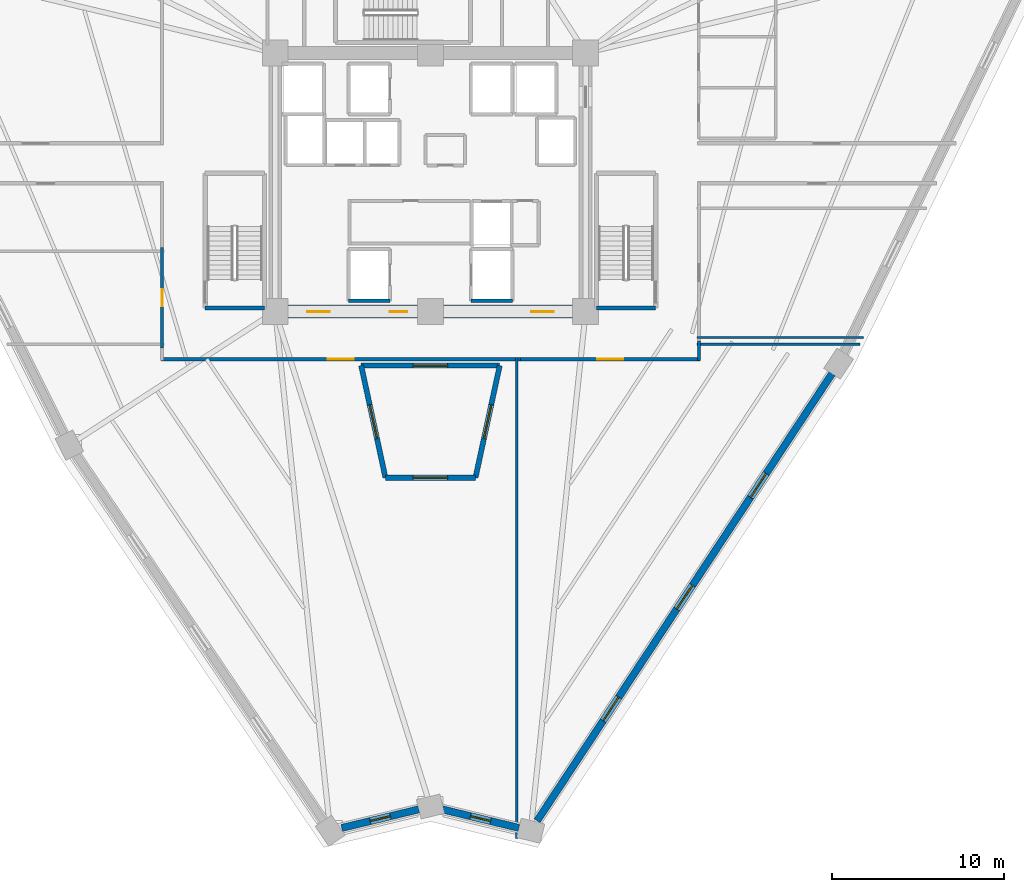
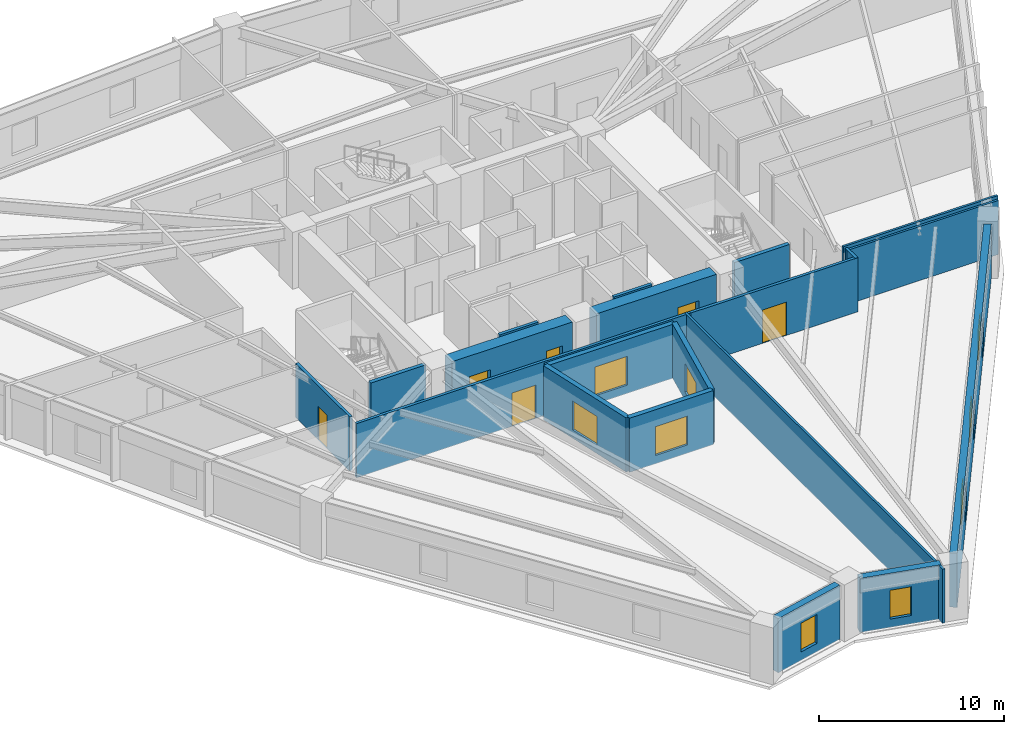
# One storey, part 3 of 9: 20 walls, 9 windows, 6 doors, 15 openings.
"""IFC4 building model written with IfcOpenShell, lengths in metres."""

from ifc_helpers import new_model, si_unit, direction, frame, frame_2d, origin, place, context, subcontext, project, spatial, rectangle, extrude, source, transform, mapped, material, layer, layer_set, type_object, element, fill, save


model = new_model("IFC4")

# Units and contexts
model_context = context("Model", 3, precision=1e-05, world=origin(), true_north=direction((0.0, 1.0)))
body_context = subcontext(model_context, "Body", "Model", "MODEL_VIEW")
ifc_project = project(units=[si_unit("LENGTHUNIT", "METRE"), si_unit("AREAUNIT", "SQUARE_METRE"), si_unit("VOLUMEUNIT", "CUBIC_METRE"), si_unit("PLANEANGLEUNIT", "RADIAN"), si_unit("MASSUNIT", "GRAM", prefix="KILO")], contexts=[model_context])

# Site, building, storey
site_placement = place(None, origin())
site = spatial("IfcSite", under=ifc_project, at=site_placement, CompositionType="ELEMENT")
building_placement = place(site_placement, origin())
building = spatial("IfcBuilding", under=site, at=building_placement, Name="Liaohun Quay Tower", CompositionType="ELEMENT")
storey_placement = place(building_placement, frame((0.0, 0.0, 144.0)))
storey = spatial("IfcBuildingStorey", under=building, at=storey_placement, Name="L37", CompositionType="ELEMENT", Elevation=144.0)

# Wall, opening, window
ifc_material_1 = material(Name="Concrete C50", Category="concrete")
ifc_layer_1 = layer(ifc_material_1, 0.300048828125, Name="Concrete C50", Category="concrete")
ifc_layer_set_1 = layer_set([ifc_layer_1], Name="Concrete C50")
wall_type_1 = type_object("IfcWallType", Name="WAL-ATR-300", PredefinedType="SOLIDWALL", material=ifc_layer_set_1)
wall_1_placement = place(storey_placement, frame((57.389892578125, 36.868896484375, 0.0), z_axis=(0.0, 0.0, 1.0), x_axis=(-0.21138112539, 0.97740371384, 0.0)))
wall_1 = element("IfcWall", 1, at=wall_1_placement, inside=storey, type_object=wall_type_1, Name="L37 Atrium Fire Compartment Wall 1", PredefinedType="SOLIDWALL", context=body_context, shape_type="SweptSolid", body=[
    extrude(rectangle(XDim=6.651611328125, YDim=0.300048828125, at=frame_2d((3.32568359375, 0.0))), origin(), (0.0, 0.0, 1.0), 3.570068359375),
])
shared_shape_1 = source(origin(), body_context, "Body", "SweptSolid", [
    extrude(rectangle(XDim=2.0, YDim=1.89990234375, at=frame_2d((1.0, 0.949951171875))), frame((0.0, 0.159912109375, 0.0), z_axis=(0.0, -1.0, 0.0), x_axis=(1.0, 0.0, 0.0)), (0.0, 0.0, 1.0), 0.320068359375),
])
opening_1_placement = place(wall_1_placement, frame((2.325927734375, 0.0, 0.550048828125)))
opening_1 = element("IfcOpeningElement", 2, at=opening_1_placement, cuts=wall_1, Name="Opening W07", PredefinedType="OPENING", context=body_context, shape_type="MappedRepresentation", body=[
    mapped(shared_shape_1, transform((0.0, 0.0, 0.0), x_axis=(1.0, 0.0, 0.0), y_axis=(0.0, 1.0, 0.0), z_axis=(0.0, 0.0, 1.0), scale=1.0)),
])
ifc_material_2 = material(Name="Class A 180-min fire-resistant insulated glazing", Category="glass")
window_type_1 = type_object("IfcWindowType", Name="WIN-ATR-FIR", PartitioningType="DOUBLE_PANEL_VERTICAL", PredefinedType="WINDOW", material=ifc_material_2)
shared_shape_2 = source(origin(), body_context, "Body", "SweptSolid", [
    extrude(rectangle(XDim=2.0, YDim=1.89990234375, at=frame_2d((1.0, 0.949951171875))), frame((0.0, 0.030029296875, 0.0), z_axis=(0.0, -1.0, 0.0), x_axis=(1.0, 0.0, 0.0)), (0.0, 0.0, 1.0), 0.06005859375),
])
window_1_placement = place(opening_1_placement, origin())
window_1 = element("IfcWindow", 3, at=window_1_placement, inside=storey, type_object=window_type_1, Name="L37 Atrium Fire-Resistant Glazing W07-1", OverallHeight=1.89990234375, OverallWidth=2.0, PartitioningType="DOUBLE_PANEL_VERTICAL", PredefinedType="WINDOW", context=body_context, shape_type="MappedRepresentation", body=[
    mapped(shared_shape_2, transform((0.0, 0.0, 0.0), x_axis=(1.0, 0.0, 0.0), y_axis=(0.0, 1.0, 0.0), z_axis=(0.0, 0.0, 1.0), scale=1.0)),
])
fill(opening_1, window_1)

wall_2_placement = place(storey_placement, frame((55.98388671875, 43.3701171875, 0.0), z_axis=(0.0, 0.0, 1.0), x_axis=(1.0, 0.0, 0.0)))
wall_2 = element("IfcWall", 4, at=wall_2_placement, inside=storey, type_object=wall_type_1, Name="L37 Atrium Fire Compartment Wall 2", PredefinedType="SOLIDWALL", context=body_context, shape_type="SweptSolid", body=[
    extrude(rectangle(XDim=8.0322265625, YDim=0.300048828125, at=frame_2d((4.01611328125, 0.0))), origin(), (0.0, 0.0, 1.0), 3.570068359375),
])
opening_2_placement = place(wall_2_placement, frame((3.01611328125, 0.0, 0.550048828125)))
opening_2 = element("IfcOpeningElement", 5, at=opening_2_placement, cuts=wall_2, Name="Opening W07", PredefinedType="OPENING", context=body_context, shape_type="MappedRepresentation", body=[
    mapped(shared_shape_1, transform((0.0, 0.0, 0.0), x_axis=(1.0, 0.0, 0.0), y_axis=(0.0, 1.0, 0.0), z_axis=(0.0, 0.0, 1.0), scale=1.0)),
])
window_2_placement = place(opening_2_placement, origin())
window_2 = element("IfcWindow", 6, at=window_2_placement, inside=storey, type_object=window_type_1, Name="L37 Atrium Fire-Resistant Glazing W07-2", OverallHeight=1.89990234375, OverallWidth=2.0, PartitioningType="DOUBLE_PANEL_VERTICAL", PredefinedType="WINDOW", context=body_context, shape_type="MappedRepresentation", body=[
    mapped(shared_shape_2, transform((0.0, 0.0, 0.0), x_axis=(1.0, 0.0, 0.0), y_axis=(0.0, 1.0, 0.0), z_axis=(0.0, 0.0, 1.0), scale=1.0)),
])
fill(opening_2, window_2)

wall_3_placement = place(storey_placement, frame((64.01611328125, 43.3701171875, 0.0), z_axis=(0.0, 0.0, 1.0), x_axis=(-0.21138112539, -0.97740371384, 0.0)))
wall_3 = element("IfcWall", 7, at=wall_3_placement, inside=storey, type_object=wall_type_1, Name="L37 Atrium Fire Compartment Wall 3", PredefinedType="SOLIDWALL", context=body_context, shape_type="SweptSolid", body=[
    extrude(rectangle(XDim=6.651611328125, YDim=0.300048828125, at=frame_2d((3.32568359375, 0.0))), origin(), (0.0, 0.0, 1.0), 3.570068359375),
])
opening_3_placement = place(wall_3_placement, frame((2.325927734375, 0.0, 0.550048828125)))
opening_3 = element("IfcOpeningElement", 8, at=opening_3_placement, cuts=wall_3, Name="Opening W07", PredefinedType="OPENING", context=body_context, shape_type="MappedRepresentation", body=[
    mapped(shared_shape_1, transform((0.0, 0.0, 0.0), x_axis=(1.0, 0.0, 0.0), y_axis=(0.0, 1.0, 0.0), z_axis=(0.0, 0.0, 1.0), scale=1.0)),
])
window_3_placement = place(opening_3_placement, origin())
window_3 = element("IfcWindow", 9, at=window_3_placement, inside=storey, type_object=window_type_1, Name="L37 Atrium Fire-Resistant Glazing W07-3", OverallHeight=1.89990234375, OverallWidth=2.0, PartitioningType="DOUBLE_PANEL_VERTICAL", PredefinedType="WINDOW", context=body_context, shape_type="MappedRepresentation", body=[
    mapped(shared_shape_2, transform((0.0, 0.0, 0.0), x_axis=(1.0, 0.0, 0.0), y_axis=(0.0, 1.0, 0.0), z_axis=(0.0, 0.0, 1.0), scale=1.0)),
])
fill(opening_3, window_3)

wall_4_placement = place(storey_placement, frame((62.610107421875, 36.868896484375, 0.0), z_axis=(0.0, 0.0, 1.0), x_axis=(-1.0, 0.0, 0.0)))
wall_4 = element("IfcWall", 10, at=wall_4_placement, inside=storey, type_object=wall_type_1, Name="L37 Atrium Fire Compartment Wall 4", PredefinedType="SOLIDWALL", context=body_context, shape_type="SweptSolid", body=[
    extrude(rectangle(XDim=5.22021484375, YDim=0.300048828125, at=frame_2d((2.610107421875, 0.0))), origin(), (0.0, 0.0, 1.0), 3.570068359375),
])
opening_4_placement = place(wall_4_placement, frame((1.610107421875, 0.0, 0.550048828125)))
opening_4 = element("IfcOpeningElement", 11, at=opening_4_placement, cuts=wall_4, Name="Opening W07", PredefinedType="OPENING", context=body_context, shape_type="MappedRepresentation", body=[
    mapped(shared_shape_1, transform((0.0, 0.0, 0.0), x_axis=(1.0, 0.0, 0.0), y_axis=(0.0, 1.0, 0.0), z_axis=(0.0, 0.0, 1.0), scale=1.0)),
])
window_4_placement = place(opening_4_placement, origin())
window_4 = element("IfcWindow", 12, at=window_4_placement, inside=storey, type_object=window_type_1, Name="L37 Atrium Fire-Resistant Glazing W07-4", OverallHeight=1.89990234375, OverallWidth=2.0, PartitioningType="DOUBLE_PANEL_VERTICAL", PredefinedType="WINDOW", context=body_context, shape_type="MappedRepresentation", body=[
    mapped(shared_shape_2, transform((0.0, 0.0, 0.0), x_axis=(1.0, 0.0, 0.0), y_axis=(0.0, 1.0, 0.0), z_axis=(0.0, 0.0, 1.0), scale=1.0)),
])
fill(opening_4, window_4)

# Wall, opening, door
ifc_material_3 = material(Name="Concrete C60", Category="concrete")
ifc_layer_2 = layer(ifc_material_3, 0.75, Name="Concrete C60", Category="concrete")
ifc_layer_set_2 = layer_set([ifc_layer_2], Name="Concrete C60")
wall_type_2 = type_object("IfcWallType", Name="WAL-COR-Z2", PredefinedType="SHEAR", material=ifc_layer_set_2)
wall_5_placement = place(storey_placement, frame((68.25, 46.5, 0.0), z_axis=(0.0, 0.0, 1.0), x_axis=(-1.0, 0.0, 0.0)))
wall_5 = element("IfcWall", 13, at=wall_5_placement, inside=storey, type_object=wall_type_2, Name="L37 Central Core Shear Wall S-E", PredefinedType="SHEAR", context=body_context, shape_type="SweptSolid", body=[
    extrude(rectangle(XDim=7.5, YDim=0.75, at=frame_2d((3.75, 0.0))), origin(), (0.0, 0.0, 1.0), 3.570068359375),
])
shared_shape_3 = source(origin(), body_context, "Body", "SweptSolid", [
    extrude(rectangle(XDim=1.300048828125, YDim=2.199951171875, at=frame_2d((0.64990234375, 1.10009765625))), frame((0.0, 0.385009765625, 0.0), z_axis=(0.0, -1.0, 0.0), x_axis=(1.0, 0.0, 0.0)), (0.0, 0.0, 1.0), 0.77001953125),
])
opening_5_placement = place(wall_5_placement, frame((1.10009765625, 0.0, 0.0)))
opening_5 = element("IfcOpeningElement", 14, at=opening_5_placement, cuts=wall_5, Name="Opening FD1", PredefinedType="OPENING", context=body_context, shape_type="MappedRepresentation", body=[
    mapped(shared_shape_3, transform((0.0, 0.0, 0.0), x_axis=(1.0, 0.0, 0.0), y_axis=(0.0, 1.0, 0.0), z_axis=(0.0, 0.0, 1.0), scale=1.0)),
])
ifc_material_4 = material(Name="Galvanised steel smokeproof fire door", Category="steel")
door_type_1 = type_object("IfcDoorType", Name="DOR-FFL-1300", OperationType="NOTDEFINED", PredefinedType="DOOR", material=ifc_material_4)
shared_shape_4 = source(origin(), body_context, "Body", "SweptSolid", [
    extrude(rectangle(XDim=1.300048828125, YDim=2.199951171875, at=frame_2d((0.64990234375, 1.10009765625))), frame((0.0, 0.02490234375, 0.0), z_axis=(0.0, -1.0, 0.0), x_axis=(1.0, 0.0, 0.0)), (0.0, 0.0, 1.0), 0.050048828125),
])
door_1_placement = place(opening_5_placement, origin())
door_1 = element("IfcDoor", 15, at=door_1_placement, inside=storey, type_object=door_type_1, Name="L37 East Core Lift Lobby Smokeproof Door", OperationType="SINGLE_SWING_LEFT", OverallHeight=2.199951171875, OverallWidth=1.300048828125, PredefinedType="DOOR", context=body_context, shape_type="MappedRepresentation", body=[
    mapped(shared_shape_4, transform((0.0, 0.0, 0.0), x_axis=(1.0, 0.0, 0.0), y_axis=(0.0, 1.0, 0.0), z_axis=(0.0, 0.0, 1.0), scale=1.0)),
])
fill(opening_5, door_1)

# Wall, openings, doors
wall_6_placement = place(storey_placement, frame((59.25, 46.5, 0.0), z_axis=(0.0, 0.0, 1.0), x_axis=(-1.0, 0.0, 0.0)))
wall_6 = element("IfcWall", 16, at=wall_6_placement, inside=storey, type_object=wall_type_2, Name="L37 Central Core Shear Wall S-W", PredefinedType="SHEAR", context=body_context, shape_type="SweptSolid", body=[
    extrude(rectangle(XDim=7.5, YDim=0.75, at=frame_2d((3.75, 0.0))), origin(), (0.0, 0.0, 1.0), 3.570068359375),
])
opening_6_placement = place(wall_6_placement, frame((5.10009765625, 0.0, 0.0)))
opening_6 = element("IfcOpeningElement", 17, at=opening_6_placement, cuts=wall_6, Name="Opening FD1", PredefinedType="OPENING", context=body_context, shape_type="MappedRepresentation", body=[
    mapped(shared_shape_3, transform((0.0, 0.0, 0.0), x_axis=(1.0, 0.0, 0.0), y_axis=(0.0, 1.0, 0.0), z_axis=(0.0, 0.0, 1.0), scale=1.0)),
])
shared_shape_5 = source(origin(), body_context, "Body", "SweptSolid", [
    extrude(rectangle(XDim=1.0, YDim=2.199951171875, at=frame_2d((0.5, 1.10009765625))), frame((0.0, 0.385009765625, 0.0), z_axis=(0.0, -1.0, 0.0), x_axis=(1.0, 0.0, 0.0)), (0.0, 0.0, 1.0), 0.77001953125),
])
opening_7_placement = place(wall_6_placement, frame((0.60009765625, 0.0, 0.0)))
opening_7 = element("IfcOpeningElement", 18, at=opening_7_placement, cuts=wall_6, Name="Opening FD2", PredefinedType="OPENING", context=body_context, shape_type="MappedRepresentation", body=[
    mapped(shared_shape_5, transform((0.0, 0.0, 0.0), x_axis=(1.0, 0.0, 0.0), y_axis=(0.0, 1.0, 0.0), z_axis=(0.0, 0.0, 1.0), scale=1.0)),
])
door_2_placement = place(opening_6_placement, origin())
door_2 = element("IfcDoor", 19, at=door_2_placement, inside=storey, type_object=door_type_1, Name="L37 West Core Lift Lobby Smokeproof Door", OperationType="SINGLE_SWING_RIGHT", OverallHeight=2.199951171875, OverallWidth=1.300048828125, PredefinedType="DOOR", context=body_context, shape_type="MappedRepresentation", body=[
    mapped(shared_shape_4, transform((0.0, 0.0, 0.0), x_axis=(1.0, 0.0, 0.0), y_axis=(0.0, 1.0, 0.0), z_axis=(0.0, 0.0, 1.0), scale=1.0)),
])
fill(opening_6, door_2)
ifc_material_5 = material(Name="Galvanised steel smokeproof lobby fire door", Category="steel")
door_type_2 = type_object("IfcDoorType", Name="DOR-FFL-1000", OperationType="NOTDEFINED", PredefinedType="DOOR", material=ifc_material_5)
shared_shape_6 = source(origin(), body_context, "Body", "SweptSolid", [
    extrude(rectangle(XDim=1.0, YDim=2.199951171875, at=frame_2d((0.5, 1.10009765625))), frame((0.0, 0.02490234375, 0.0), z_axis=(0.0, -1.0, 0.0), x_axis=(1.0, 0.0, 0.0)), (0.0, 0.0, 1.0), 0.050048828125),
])
door_3_placement = place(opening_7_placement, origin())
door_3 = element("IfcDoor", 20, at=door_3_placement, inside=storey, type_object=door_type_2, Name="L37 South Firefighting Lobby Smokeproof Door", OperationType="SINGLE_SWING_LEFT", OverallHeight=2.199951171875, OverallWidth=1.0, PredefinedType="DOOR", context=body_context, shape_type="MappedRepresentation", body=[
    mapped(shared_shape_6, transform((0.0, 0.0, 0.0), x_axis=(1.0, 0.0, 0.0), y_axis=(0.0, 1.0, 0.0), z_axis=(0.0, 0.0, 1.0), scale=1.0)),
])
fill(opening_7, door_3)

# Wall, opening, window
ifc_material_6 = material(Name="Precast concrete C50 insulated sandwich", Category="concrete")
ifc_layer_3 = layer(ifc_material_6, 0.419921875, Name="Precast concrete C50 insulated sandwich", Category="concrete")
ifc_layer_set_3 = layer_set([ifc_layer_3], Name="Precast concrete C50 insulated sandwich")
wall_type_3 = type_object("IfcWallType", Name="WAL-EXT-Z12", PredefinedType="SOLIDWALL", material=ifc_layer_set_3)
wall_7_placement = place(storey_placement, frame((60.6708984375, 17.639892578125, 0.0), z_axis=(0.0, 0.0, 1.0), x_axis=(0.972040399781, -0.234813673352, 0.0)))
wall_7 = element("IfcWall", 21, at=wall_7_placement, inside=storey, type_object=wall_type_3, Name="L37 Brutalist Precast Pier Wall 01", PredefinedType="SOLIDWALL", context=body_context, shape_type="SweptSolid", body=[
    extrude(rectangle(XDim=4.594482421875, YDim=0.419921875, at=frame_2d((2.29736328125, 0.0))), origin(), (0.0, 0.0, 1.0), 3.570068359375),
])
shared_shape_7 = source(origin(), body_context, "Body", "SweptSolid", [
    extrude(rectangle(XDim=1.199951171875, YDim=1.89990234375, at=frame_2d((0.60009765625, 0.949951171875))), frame((0.0, 0.219970703125, 0.0), z_axis=(0.0, -1.0, 0.0), x_axis=(1.0, 0.0, 0.0)), (0.0, 0.0, 1.0), 0.43994140625),
])
opening_8_placement = place(wall_7_placement, frame((1.697021484375, 0.0, 0.550048828125)))
opening_8 = element("IfcOpeningElement", 22, at=opening_8_placement, cuts=wall_7, Name="Opening W05", PredefinedType="OPENING", context=body_context, shape_type="MappedRepresentation", body=[
    mapped(shared_shape_7, transform((0.0, 0.0, 0.0), x_axis=(1.0, 0.0, 0.0), y_axis=(0.0, 1.0, 0.0), z_axis=(0.0, 0.0, 1.0), scale=1.0)),
])
ifc_material_7 = material(Name="Triple Low-E corner notch glazing", Category="glass")
window_type_2 = type_object("IfcWindowType", Name="WIN-NOTCH", PartitioningType="SINGLE_PANEL", PredefinedType="WINDOW", material=ifc_material_7)
shared_shape_8 = source(origin(), body_context, "Body", "SweptSolid", [
    extrude(rectangle(XDim=1.199951171875, YDim=1.89990234375, at=frame_2d((0.60009765625, 0.949951171875))), frame((0.0, 0.030029296875, 0.0), z_axis=(0.0, -1.0, 0.0), x_axis=(1.0, 0.0, 0.0)), (0.0, 0.0, 1.0), 0.06005859375),
])
window_5_placement = place(opening_8_placement, origin())
window_5 = element("IfcWindow", 23, at=window_5_placement, inside=storey, type_object=window_type_2, Name="L37 Corner Notch Window W05-01", OverallHeight=1.89990234375, OverallWidth=1.199951171875, PartitioningType="SINGLE_PANEL", PredefinedType="WINDOW", context=body_context, shape_type="MappedRepresentation", body=[
    mapped(shared_shape_8, transform((0.0, 0.0, 0.0), x_axis=(1.0, 0.0, 0.0), y_axis=(0.0, 1.0, 0.0), z_axis=(0.0, 0.0, 1.0), scale=1.0)),
])
fill(opening_8, window_5)

# Wall, openings, windows
wall_8_placement = place(storey_placement, frame((66.18798828125, 16.97509765625, 0.0), z_axis=(0.0, 0.0, 1.0), x_axis=(0.550486590195, 0.834844005797, 0.0)))
wall_8 = element("IfcWall", 24, at=wall_8_placement, inside=storey, type_object=wall_type_3, Name="L37 Brutalist Precast Pier Wall 02", PredefinedType="SOLIDWALL", context=body_context, shape_type="SweptSolid", body=[
    extrude(rectangle(XDim=31.0595703125, YDim=0.419921875, at=frame_2d((15.52978515625, 0.0))), origin(), (0.0, 0.0, 1.0), 3.570068359375),
])
shared_shape_9 = source(origin(), body_context, "Body", "SweptSolid", [
    extrude(rectangle(XDim=1.64990234375, YDim=1.949951171875, at=frame_2d((0.824951171875, 0.97509765625))), frame((0.0, 0.219970703125, 0.0), z_axis=(0.0, -1.0, 0.0), x_axis=(1.0, 0.0, 0.0)), (0.0, 0.0, 1.0), 0.43994140625),
])
opening_9_placement = place(wall_8_placement, frame((6.93994140625, 0.0, 0.550048828125)))
opening_9 = element("IfcOpeningElement", 25, at=opening_9_placement, cuts=wall_8, Name="Opening W02", PredefinedType="OPENING", context=body_context, shape_type="MappedRepresentation", body=[
    mapped(shared_shape_9, transform((0.0, 0.0, 0.0), x_axis=(1.0, 0.0, 0.0), y_axis=(0.0, 1.0, 0.0), z_axis=(0.0, 0.0, 1.0), scale=1.0)),
])
opening_10_placement = place(wall_8_placement, frame((14.705078125, 0.0, 0.550048828125)))
opening_10 = element("IfcOpeningElement", 26, at=opening_10_placement, cuts=wall_8, Name="Opening W02", PredefinedType="OPENING", context=body_context, shape_type="MappedRepresentation", body=[
    mapped(shared_shape_9, transform((0.0, 0.0, 0.0), x_axis=(1.0, 0.0, 0.0), y_axis=(0.0, 1.0, 0.0), z_axis=(0.0, 0.0, 1.0), scale=1.0)),
])
opening_11_placement = place(wall_8_placement, frame((22.469970703125, 0.0, 0.550048828125)))
opening_11 = element("IfcOpeningElement", 27, at=opening_11_placement, cuts=wall_8, Name="Opening W02", PredefinedType="OPENING", context=body_context, shape_type="MappedRepresentation", body=[
    mapped(shared_shape_9, transform((0.0, 0.0, 0.0), x_axis=(1.0, 0.0, 0.0), y_axis=(0.0, 1.0, 0.0), z_axis=(0.0, 0.0, 1.0), scale=1.0)),
])
ifc_material_8 = material(Name="Triple Low-E argon glazing in thermally broken aluminium", Category="aluminium")
window_type_3 = type_object("IfcWindowType", Name="WIN-PUN-Z2", PartitioningType="DOUBLE_PANEL_VERTICAL", PredefinedType="WINDOW", material=ifc_material_8)
shared_shape_10 = source(origin(), body_context, "Body", "SweptSolid", [
    extrude(rectangle(XDim=1.64990234375, YDim=1.949951171875, at=frame_2d((0.824951171875, 0.97509765625))), frame((0.0, 0.030029296875, 0.0), z_axis=(0.0, -1.0, 0.0), x_axis=(1.0, 0.0, 0.0)), (0.0, 0.0, 1.0), 0.06005859375),
])
window_6_placement = place(opening_9_placement, origin())
window_6 = element("IfcWindow", 28, at=window_6_placement, inside=storey, type_object=window_type_3, Name="L37 Recessed Cold-Climate Punched Window 02-1", OverallHeight=1.949951171875, OverallWidth=1.64990234375, PartitioningType="DOUBLE_PANEL_VERTICAL", PredefinedType="WINDOW", context=body_context, shape_type="MappedRepresentation", body=[
    mapped(shared_shape_10, transform((0.0, 0.0, 0.0), x_axis=(1.0, 0.0, 0.0), y_axis=(0.0, 1.0, 0.0), z_axis=(0.0, 0.0, 1.0), scale=1.0)),
])
fill(opening_9, window_6)
window_7_placement = place(opening_10_placement, origin())
window_7 = element("IfcWindow", 29, at=window_7_placement, inside=storey, type_object=window_type_3, Name="L37 Recessed Cold-Climate Punched Window 02-2", OverallHeight=1.949951171875, OverallWidth=1.64990234375, PartitioningType="DOUBLE_PANEL_VERTICAL", PredefinedType="WINDOW", context=body_context, shape_type="MappedRepresentation", body=[
    mapped(shared_shape_10, transform((0.0, 0.0, 0.0), x_axis=(1.0, 0.0, 0.0), y_axis=(0.0, 1.0, 0.0), z_axis=(0.0, 0.0, 1.0), scale=1.0)),
])
fill(opening_10, window_7)
window_8_placement = place(opening_11_placement, origin())
window_8 = element("IfcWindow", 30, at=window_8_placement, inside=storey, type_object=window_type_3, Name="L37 Recessed Cold-Climate Punched Window 02-3", OverallHeight=1.949951171875, OverallWidth=1.64990234375, PartitioningType="DOUBLE_PANEL_VERTICAL", PredefinedType="WINDOW", context=body_context, shape_type="MappedRepresentation", body=[
    mapped(shared_shape_10, transform((0.0, 0.0, 0.0), x_axis=(1.0, 0.0, 0.0), y_axis=(0.0, 1.0, 0.0), z_axis=(0.0, 0.0, 1.0), scale=1.0)),
])
fill(opening_11, window_8)

# Wall, opening, window
wall_9_placement = place(storey_placement, frame((54.85595703125, 16.56005859375, 0.0), z_axis=(0.0, 0.0, 1.0), x_axis=(0.972076783572, 0.234663006972, 0.0)))
wall_9 = element("IfcWall", 31, at=wall_9_placement, inside=storey, type_object=wall_type_3, Name="L37 Brutalist Precast Pier Wall 12", PredefinedType="SOLIDWALL", context=body_context, shape_type="SweptSolid", body=[
    extrude(rectangle(XDim=4.6015625, YDim=0.419921875, at=frame_2d((2.30078125, 0.0))), origin(), (0.0, 0.0, 1.0), 3.570068359375),
])
opening_12_placement = place(wall_9_placement, frame((1.700927734375, 0.0, 0.550048828125)))
opening_12 = element("IfcOpeningElement", 32, at=opening_12_placement, cuts=wall_9, Name="Opening W05", PredefinedType="OPENING", context=body_context, shape_type="MappedRepresentation", body=[
    mapped(shared_shape_7, transform((0.0, 0.0, 0.0), x_axis=(1.0, 0.0, 0.0), y_axis=(0.0, 1.0, 0.0), z_axis=(0.0, 0.0, 1.0), scale=1.0)),
])
window_9_placement = place(opening_12_placement, origin())
window_9 = element("IfcWindow", 33, at=window_9_placement, inside=storey, type_object=window_type_2, Name="L37 Corner Notch Window W05-12", OverallHeight=1.89990234375, OverallWidth=1.199951171875, PartitioningType="SINGLE_PANEL", PredefinedType="WINDOW", context=body_context, shape_type="MappedRepresentation", body=[
    mapped(shared_shape_8, transform((0.0, 0.0, 0.0), x_axis=(1.0, 0.0, 0.0), y_axis=(0.0, 1.0, 0.0), z_axis=(0.0, 0.0, 1.0), scale=1.0)),
])
fill(opening_12, window_9)

# Wall, opening, door
ifc_material_9 = material(Name="Autoclaved aerated concrete blockwork", Category="masonry")
ifc_layer_4 = layer(ifc_material_9, 0.179931640625, Name="Autoclaved aerated concrete blockwork", Category="masonry")
ifc_layer_set_4 = layer_set([ifc_layer_4], Name="Autoclaved aerated concrete blockwork")
wall_type_4 = type_object("IfcWallType", Name="WAL-PRT-COR", PredefinedType="PARTITIONING", material=ifc_layer_set_4)
wall_10_placement = place(storey_placement, frame((44.43994140625, 44.385009765625, 0.0), z_axis=(0.0, 0.0, 1.0), x_axis=(0.0, 1.0, 0.0)))
wall_10 = element("IfcWall", 34, at=wall_10_placement, inside=storey, type_object=wall_type_4, Name="L37 Interior Partition Wall 017", PredefinedType="PARTITIONING", context=body_context, shape_type="SweptSolid", body=[
    extrude(rectangle(XDim=5.830078125, YDim=0.179931640625, at=frame_2d((2.9150390625, 0.0))), origin(), (0.0, 0.0, 1.0), 3.570068359375),
])
shared_shape_11 = source(origin(), body_context, "Body", "SweptSolid", [
    extrude(rectangle(XDim=1.0, YDim=2.199951171875, at=frame_2d((0.5, 1.10009765625))), frame((0.0, 0.099853515625, 0.0), z_axis=(0.0, -1.0, 0.0), x_axis=(1.0, 0.0, 0.0)), (0.0, 0.0, 1.0), 0.199951171875),
])
opening_13_placement = place(wall_10_placement, frame((2.4150390625, 0.0, 0.0)))
opening_13 = element("IfcOpeningElement", 35, at=opening_13_placement, cuts=wall_10, Name="Opening OD1", PredefinedType="OPENING", context=body_context, shape_type="MappedRepresentation", body=[
    mapped(shared_shape_11, transform((0.0, 0.0, 0.0), x_axis=(1.0, 0.0, 0.0), y_axis=(0.0, 1.0, 0.0), z_axis=(0.0, 0.0, 1.0), scale=1.0)),
])
ifc_material_10 = material(Name="Solid-core oak veneer timber leaf in steel frame", Category="steel")
door_type_3 = type_object("IfcDoorType", Name="DOR-OFF-1000", OperationType="NOTDEFINED", PredefinedType="DOOR", material=ifc_material_10)
door_4_placement = place(opening_13_placement, origin())
door_4 = element("IfcDoor", 36, at=door_4_placement, inside=storey, type_object=door_type_3, Name="L37 Technical Reference Library 07 Door", OperationType="SINGLE_SWING_RIGHT", OverallHeight=2.199951171875, OverallWidth=1.0, PredefinedType="DOOR", context=body_context, shape_type="MappedRepresentation", body=[
    mapped(shared_shape_6, transform((0.0, 0.0, 0.0), x_axis=(1.0, 0.0, 0.0), y_axis=(0.0, 1.0, 0.0), z_axis=(0.0, 0.0, 1.0), scale=1.0)),
])
fill(opening_13, door_4)

wall_11_placement = place(storey_placement, frame((65.215087890625, 43.739990234375, 0.0), z_axis=(0.0, 0.0, 1.0), x_axis=(-1.0, 0.0, 0.0)))
wall_11 = element("IfcWall", 37, at=wall_11_placement, inside=storey, type_object=wall_type_4, Name="L37 Interior Partition Wall 018", PredefinedType="PARTITIONING", context=body_context, shape_type="SweptSolid", body=[
    extrude(rectangle(XDim=20.844970703125, YDim=0.179931640625, at=frame_2d((10.42236328125, 0.0))), origin(), (0.0, 0.0, 1.0), 3.570068359375),
])
shared_shape_12 = source(origin(), body_context, "Body", "SweptSolid", [
    extrude(rectangle(XDim=1.5, YDim=2.199951171875, at=frame_2d((0.75, 1.10009765625))), frame((0.0, 0.099853515625, 0.0), z_axis=(0.0, -1.0, 0.0), x_axis=(1.0, 0.0, 0.0)), (0.0, 0.0, 1.0), 0.199951171875),
])
opening_14_placement = place(wall_11_placement, frame((9.673095703125, 0.0, 0.0)))
opening_14 = element("IfcOpeningElement", 38, at=opening_14_placement, cuts=wall_11, Name="Opening OD2", PredefinedType="OPENING", context=body_context, shape_type="MappedRepresentation", body=[
    mapped(shared_shape_12, transform((0.0, 0.0, 0.0), x_axis=(1.0, 0.0, 0.0), y_axis=(0.0, 1.0, 0.0), z_axis=(0.0, 0.0, 1.0), scale=1.0)),
])
ifc_material_11 = material(Name="Acoustic oak veneer double door")
door_type_4 = type_object("IfcDoorType", Name="DOR-OFF-1500", OperationType="DOUBLE_DOOR_SINGLE_SWING", PredefinedType="DOOR", material=ifc_material_11)
shared_shape_13 = source(origin(), body_context, "Body", "SweptSolid", [
    extrude(rectangle(XDim=1.5, YDim=2.199951171875, at=frame_2d((0.75, 1.10009765625))), frame((0.0, 0.02490234375, 0.0), z_axis=(0.0, -1.0, 0.0), x_axis=(1.0, 0.0, 0.0)), (0.0, 0.0, 1.0), 0.050048828125),
])
door_5_placement = place(opening_14_placement, origin())
door_5 = element("IfcDoor", 39, at=door_5_placement, inside=storey, type_object=door_type_4, Name="L37 Occupational Wellness Clinic 08 Door", OperationType="DOUBLE_DOOR_SINGLE_SWING", OverallHeight=2.199951171875, OverallWidth=1.5, PredefinedType="DOOR", context=body_context, shape_type="MappedRepresentation", body=[
    mapped(shared_shape_13, transform((0.0, 0.0, 0.0), x_axis=(1.0, 0.0, 0.0), y_axis=(0.0, 1.0, 0.0), z_axis=(0.0, 0.0, 1.0), scale=1.0)),
])
fill(opening_14, door_5)

wall_12_placement = place(storey_placement, frame((75.6298828125, 43.739990234375, 0.0), z_axis=(0.0, 0.0, 1.0), x_axis=(-1.0, 0.0, 0.0)))
wall_12 = element("IfcWall", 40, at=wall_12_placement, inside=storey, type_object=wall_type_4, Name="L37 Interior Partition Wall 019", PredefinedType="PARTITIONING", context=body_context, shape_type="SweptSolid", body=[
    extrude(rectangle(XDim=10.414794921875, YDim=0.179931640625, at=frame_2d((5.20751953125, 0.0))), origin(), (0.0, 0.0, 1.0), 3.570068359375),
])
opening_15_placement = place(wall_12_placement, frame((4.45703125, 0.0, 0.0)))
opening_15 = element("IfcOpeningElement", 41, at=opening_15_placement, cuts=wall_12, Name="Opening OD2", PredefinedType="OPENING", context=body_context, shape_type="MappedRepresentation", body=[
    mapped(shared_shape_12, transform((0.0, 0.0, 0.0), x_axis=(1.0, 0.0, 0.0), y_axis=(0.0, 1.0, 0.0), z_axis=(0.0, 0.0, 1.0), scale=1.0)),
])
door_6_placement = place(opening_15_placement, origin())
door_6 = element("IfcDoor", 42, at=door_6_placement, inside=storey, type_object=door_type_4, Name="L37 Records Archive Store 09 Door", OperationType="DOUBLE_DOOR_SINGLE_SWING", OverallHeight=2.199951171875, OverallWidth=1.5, PredefinedType="DOOR", context=body_context, shape_type="MappedRepresentation", body=[
    mapped(shared_shape_13, transform((0.0, 0.0, 0.0), x_axis=(1.0, 0.0, 0.0), y_axis=(0.0, 1.0, 0.0), z_axis=(0.0, 0.0, 1.0), scale=1.0)),
])
fill(opening_15, door_6)

# Walls
wall_13_placement = place(storey_placement, frame((75.56005859375, 44.784912109375, 0.0), z_axis=(0.0, 0.0, 1.0), x_axis=(0.0, -1.0, 0.0)))
element("IfcWall", 43, at=wall_13_placement, inside=storey, type_object=wall_type_4, Name="L37 Interior Partition Wall 042", PredefinedType="PARTITIONING", context=body_context, shape_type="SweptSolid", body=[
    extrude(rectangle(XDim=1.114990234375, YDim=0.179931640625, at=frame_2d((0.5576171875, 0.0))), origin(), (0.0, 0.0, 1.0), 3.570068359375),
])
ifc_material_12 = material(Name="Gypsum board on twin steel studs", Category="steel")
ifc_layer_5 = layer(ifc_material_12, 0.139892578125, Name="Gypsum board on twin steel studs", Category="steel")
ifc_layer_set_5 = layer_set([ifc_layer_5], Name="Gypsum board on twin steel studs")
wall_type_5 = type_object("IfcWallType", Name="WAL-PRT-OFF", PredefinedType="PARTITIONING", material=ifc_layer_set_5)
wall_14_placement = place(storey_placement, frame((75.4599609375, 44.60009765625, 0.0), z_axis=(0.0, 0.0, 1.0), x_axis=(1.0, 0.0, 0.0)))
element("IfcWall", 44, at=wall_14_placement, inside=storey, type_object=wall_type_5, Name="L37 Interior Partition Wall 047", PredefinedType="PARTITIONING", context=body_context, shape_type="SweptSolid", body=[
    extrude(rectangle(XDim=9.450927734375, YDim=0.139892578125, at=frame_2d((4.7255859375, 0.0))), origin(), (0.0, 0.0, 1.0), 3.570068359375),
])
wall_15_placement = place(storey_placement, frame((75.4599609375, 45.0, 0.0), z_axis=(0.0, 0.0, 1.0), x_axis=(1.0, 0.0, 0.0)))
element("IfcWall", 45, at=wall_15_placement, inside=storey, type_object=wall_type_5, Name="L37 Interior Partition Wall 048", PredefinedType="PARTITIONING", context=body_context, shape_type="SweptSolid", body=[
    extrude(rectangle(XDim=9.64501953125, YDim=0.139892578125, at=frame_2d((4.822509765625, 0.0))), origin(), (0.0, 0.0, 1.0), 3.570068359375),
])
wall_16_placement = place(storey_placement, frame((65.0, 43.840087890625, 0.0), z_axis=(0.0, 0.0, 1.0), x_axis=(0.0, -1.0, 0.0)))
element("IfcWall", 46, at=wall_16_placement, inside=storey, type_object=wall_type_5, Name="L37 Interior Partition Wall 053", PredefinedType="PARTITIONING", context=body_context, shape_type="SweptSolid", body=[
    extrude(rectangle(XDim=27.89306640625, YDim=0.139892578125, at=frame_2d((13.946533203125, 0.0))), origin(), (0.0, 0.0, 1.0), 3.570068359375),
])
ifc_layer_6 = layer(ifc_material_1, 0.239990234375, Name="Concrete C50", Category="concrete")
ifc_layer_set_6 = layer_set([ifc_layer_6], Name="Concrete C50")
wall_type_6 = type_object("IfcWallType", Name="WAL-SHF-200", PredefinedType="SOLIDWALL", material=ifc_layer_set_6)
for number, where, z_axis, x_axis, name in (
    (47, (46.93994140625, 46.699951171875, 0.0), (0.0, 0.0, 1.0), (1.0, 0.0, 0.0), "L37 Stairwell ST-1 Structural Core Wall S"),
    (48, (69.6201171875, 46.699951171875, 0.0), (0.0, 0.0, 1.0), (1.0, 0.0, 0.0), "L37 Stairwell ST-2 Structural Core Wall S"),
):
    element("IfcWall", number, at=place(storey_placement, frame(where, z_axis=z_axis, x_axis=x_axis)), inside=storey, type_object=wall_type_6, Name=name, PredefinedType="SOLIDWALL", context=body_context, shape_type="SweptSolid", body=[
        extrude(rectangle(XDim=3.43994140625, YDim=0.239990234375, at=frame_2d((1.719970703125, 0.0))), origin(), (0.0, 0.0, 1.0), 3.570068359375),
    ])
for number, where, z_axis, x_axis, name in (
    (49, (55.25, 47.1201171875, 0.0), (0.0, 0.0, 1.0), (1.0, 0.0, 0.0), "L37 Lift FF-01 Hoistway Wall S"),
    (50, (62.35009765625, 47.1201171875, 0.0), (0.0, 0.0, 1.0), (1.0, 0.0, 0.0), "L37 Lift FF-02 Hoistway Wall S"),
):
    element("IfcWall", number, at=place(storey_placement, frame(where, z_axis=z_axis, x_axis=x_axis)), inside=storey, type_object=wall_type_6, Name=name, PredefinedType="SOLIDWALL", context=body_context, shape_type="SweptSolid", body=[
        extrude(rectangle(XDim=2.39990234375, YDim=0.199951171875, at=frame_2d((1.199951171875, 0.0))), origin(), (0.0, 0.0, 1.0), 3.570068359375),
    ])

save(model, "model.ifc")
